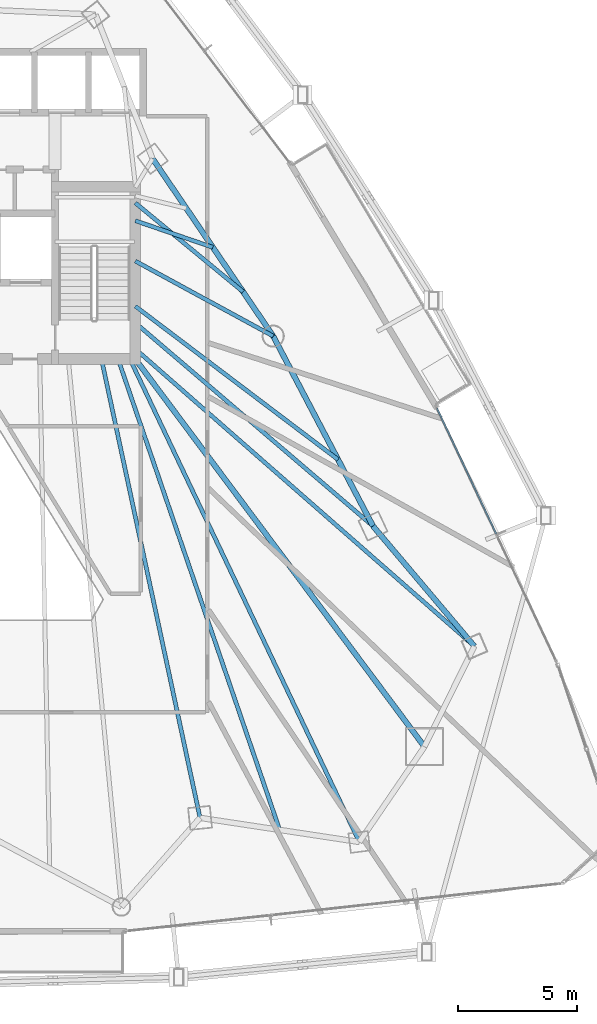
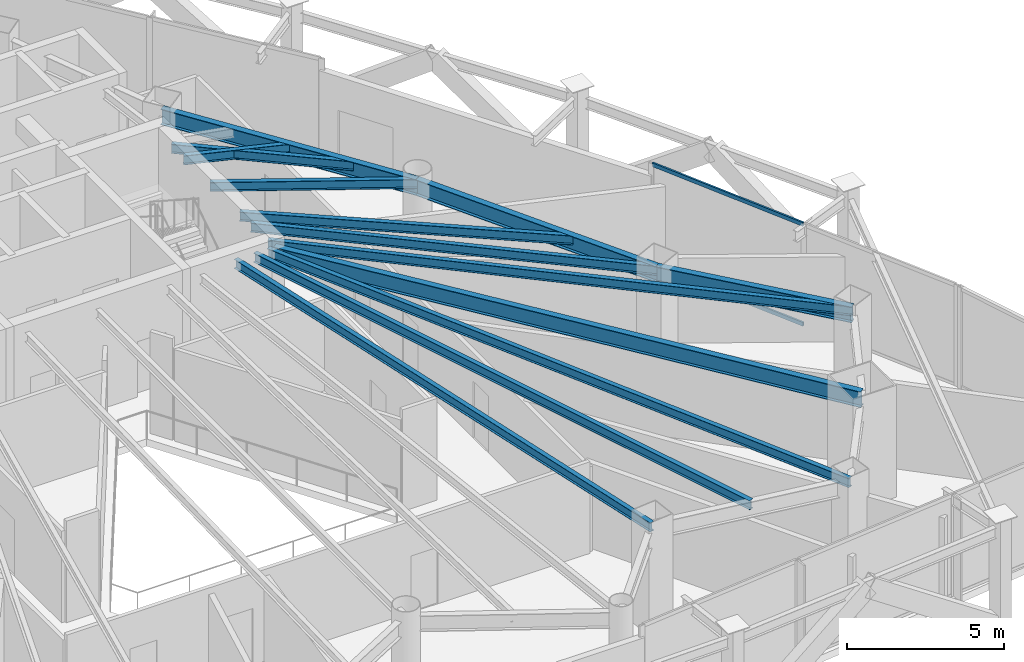
# One storey, part 16 of 33: 13 beams, 2 members, 1 element without a shape of its own.
"""IFC4 building model written with IfcOpenShell, lengths in metres."""

from ifc_helpers import new_model, si_unit, direction, frame, origin, origin_2d, place, context, subcontext, project, spatial, hollow_rectangle, i_section, extrude, material, layer, layer_set, material_profile, profile_set, type_object, element, aggregate, save


model = new_model("IFC4")

# Units and contexts
model_context = context("Model", 3, precision=1e-05, world=origin(), true_north=direction((0.0, 1.0)))
body_context = subcontext(model_context, "Body", "Model", "MODEL_VIEW")
ifc_project = project(units=[si_unit("LENGTHUNIT", "METRE"), si_unit("AREAUNIT", "SQUARE_METRE"), si_unit("VOLUMEUNIT", "CUBIC_METRE"), si_unit("PLANEANGLEUNIT", "RADIAN"), si_unit("MASSUNIT", "GRAM", prefix="KILO")], contexts=[model_context])

# Site, building, storey
site_placement = place(None, origin())
site = spatial("IfcSite", under=ifc_project, at=site_placement, CompositionType="ELEMENT")
building_placement = place(site_placement, origin())
building = spatial("IfcBuilding", under=site, at=building_placement, Name="Orvanel Arch Residences", CompositionType="ELEMENT")
storey_placement = place(building_placement, frame((0.0, 0.0, 97.25)))
storey = spatial("IfcBuildingStorey", under=building, at=storey_placement, Name="L27", CompositionType="ELEMENT", Elevation=97.25)

# Beams
ifc_material_1 = material(Name="Structural steel AS/NZS 3679.1 Grade 300 (300 MPa)", Category="steel")
ifc_material_profile_1 = material_profile(ifc_material_1, i_section(OverallWidth=0.22900390625, OverallDepth=0.612060546875, WebThickness=0.011962890625, FlangeThickness=0.01953125, at=origin_2d()), Name="610UB125")
ifc_profile_set_1 = profile_set([ifc_material_profile_1], Name="Structural steel AS/NZS 3679.1 Grade 300 (300 MPa)")
beam_type_1 = type_object("IfcBeamType", Name="BG-610UB", PredefinedType="BEAM", material=ifc_profile_set_1)
beam_1_placement = place(storey_placement, frame((39.625, 26.675048828125, 3.64404296875), z_axis=(0.597893733742, -0.801575375839, 0.0), x_axis=(0.801575375839, 0.597893733742, 0.0)))
element("IfcBeam", 1, at=beam_1_placement, inside=storey, type_object=beam_type_1, Name="L27 South-East Radial Girder", PredefinedType="BEAM", context=body_context, shape_type="SweptSolid", body=[
    extrude(i_section(OverallWidth=0.22900390625, OverallDepth=0.612060546875, WebThickness=0.011962890625, FlangeThickness=0.01953125, at=origin_2d()), origin(), (0.0, 0.0, 1.0), 20.36474609375),
])
ifc_material_profile_2 = material_profile(ifc_material_1, i_section(OverallWidth=0.1708984375, OverallDepth=0.35595703125, WebThickness=0.00732421875, FlangeThickness=0.011474609375, at=origin_2d()), Name="360UB50.7")
ifc_profile_set_2 = profile_set([ifc_material_profile_2], Name="Structural steel AS/NZS 3679.1 Grade 300 (300 MPa)")
beam_type_2 = type_object("IfcBeamType", Name="BJ-360UB", PredefinedType="JOIST", material=ifc_profile_set_2)
beam_2_placement = place(storey_placement, frame((39.625, 30.800048828125, 3.77197265625), z_axis=(0.878399029914, -0.477927969726, 0.0), x_axis=(0.477927969726, 0.878399029914, 0.0)))
element("IfcBeam", 2, at=beam_2_placement, inside=storey, type_object=beam_type_2, Name="L27 NE Wing Floor Joist", PredefinedType="JOIST", context=body_context, shape_type="SweptSolid", body=[
    extrude(i_section(OverallWidth=0.1708984375, OverallDepth=0.35595703125, WebThickness=0.00732421875, FlangeThickness=0.011474609375, at=origin_2d()), origin(), (0.0, 0.0, 1.0), 6.609619140625),
])
beam_3_placement = place(storey_placement, frame((39.625, 28.199951171875, 3.77197265625), z_axis=(0.760024297953, -0.649894658018, 0.0), x_axis=(0.649894658018, 0.760024297953, 0.0)))
element("IfcBeam", 3, at=beam_3_placement, inside=storey, type_object=beam_type_2, Name="L27 E Wing Floor Joist", PredefinedType="JOIST", context=body_context, shape_type="SweptSolid", body=[
    extrude(i_section(OverallWidth=0.1708984375, OverallDepth=0.35595703125, WebThickness=0.00732421875, FlangeThickness=0.011474609375, at=origin_2d()), origin(), (0.0, 0.0, 1.0), 13.16796875),
])
beam_4_placement = place(storey_placement, frame((38.199951171875, 26.675048828125, 3.77197265625), z_axis=(0.210066515515, -0.977687096703, 0.0), x_axis=(0.977687096703, 0.210066515515, 0.0)))
element("IfcBeam", 4, at=beam_4_placement, inside=storey, type_object=beam_type_2, Name="L27 SE Wing Floor Joist", PredefinedType="JOIST", context=body_context, shape_type="SweptSolid", body=[
    extrude(i_section(OverallWidth=0.1708984375, OverallDepth=0.35595703125, WebThickness=0.00732421875, FlangeThickness=0.011474609375, at=origin_2d()), origin(), (0.0, 0.0, 1.0), 19.760986328125),
])
beam_5_placement = place(storey_placement, frame((39.625, 32.5, 3.77197265625), z_axis=(0.945658073701, -0.325162740247, 0.0), x_axis=(0.325162740247, 0.945658073701, 0.0)))
element("IfcBeam", 5, at=beam_5_placement, inside=storey, type_object=beam_type_2, Name="L27 ENE Wing Floor Joist", PredefinedType="JOIST", context=body_context, shape_type="SweptSolid", body=[
    extrude(i_section(OverallWidth=0.1708984375, OverallDepth=0.35595703125, WebThickness=0.00732421875, FlangeThickness=0.011474609375, at=origin_2d()), origin(), (0.0, 0.0, 1.0), 3.453857421875),
])
beam_6_placement = place(storey_placement, frame((39.625, 27.10009765625, 3.77197265625), z_axis=(0.751924114057, -0.659249669472, 0.0), x_axis=(0.659249669472, 0.751924114057, 0.0)))
element("IfcBeam", 6, at=beam_6_placement, inside=storey, type_object=beam_type_2, Name="L27 ME Wing Floor Joist", PredefinedType="JOIST", context=body_context, shape_type="SweptSolid", body=[
    extrude(i_section(OverallWidth=0.1708984375, OverallDepth=0.35595703125, WebThickness=0.00732421875, FlangeThickness=0.011474609375, at=origin_2d()), origin(), (0.0, 0.0, 1.0), 18.9912109375),
])
beam_7_placement = place(storey_placement, frame((39.39990234375, 26.675048828125, 3.77197265625), z_axis=(0.429042657795, -0.903284228686, 0.0), x_axis=(0.903284228686, 0.429042657795, 0.0)))
element("IfcBeam", 7, at=beam_7_placement, inside=storey, type_object=beam_type_2, Name="L27 MSE Wing Floor Joist", PredefinedType="JOIST", context=body_context, shape_type="SweptSolid", body=[
    extrude(i_section(OverallWidth=0.1708984375, OverallDepth=0.35595703125, WebThickness=0.00732421875, FlangeThickness=0.011474609375, at=origin_2d()), origin(), (0.0, 0.0, 1.0), 22.513427734375),
])
beam_8_placement = place(storey_placement, frame((39.625, 33.25, 3.77197265625), z_axis=(0.771468562814, -0.636267441089, 0.0), x_axis=(0.636267441089, 0.771468562814, 0.0)))
element("IfcBeam", 8, at=beam_8_placement, inside=storey, type_object=beam_type_2, Name="L27 LE Wing Floor Joist", PredefinedType="JOIST", context=body_context, shape_type="SweptSolid", body=[
    extrude(i_section(OverallWidth=0.1708984375, OverallDepth=0.35595703125, WebThickness=0.00732421875, FlangeThickness=0.011474609375, at=origin_2d()), origin(), (0.0, 0.0, 1.0), 5.879638671875),
])
beam_9_placement = place(storey_placement, frame((39.625, 28.89990234375, 3.77197265625), z_axis=(0.797519083104, -0.60329371958, 0.0), x_axis=(0.60329371958, 0.797519083104, 0.0)))
element("IfcBeam", 9, at=beam_9_placement, inside=storey, type_object=beam_type_2, Name="L27 CTE Wing Floor Joist", PredefinedType="JOIST", context=body_context, shape_type="SweptSolid", body=[
    extrude(i_section(OverallWidth=0.1708984375, OverallDepth=0.35595703125, WebThickness=0.00732421875, FlangeThickness=0.011474609375, at=origin_2d()), origin(), (0.0, 0.0, 1.0), 10.70458984375),
])
beam_10_placement = place(storey_placement, frame((38.89990234375, 26.675048828125, 3.77197265625), z_axis=(0.324621456495, -0.945844019901, 0.0), x_axis=(0.945844019901, 0.324621456495, 0.0)))
element("IfcBeam", 10, at=beam_10_placement, inside=storey, type_object=beam_type_2, Name="L27 JADD2 Wing Floor Joist", PredefinedType="JOIST", context=body_context, shape_type="SweptSolid", body=[
    extrude(i_section(OverallWidth=0.1708984375, OverallDepth=0.35595703125, WebThickness=0.00732421875, FlangeThickness=0.011474609375, at=origin_2d()), origin(), (0.0, 0.0, 1.0), 20.96337890625),
])
ifc_material_profile_3 = material_profile(ifc_material_1, i_section(OverallWidth=0.22900390625, OverallDepth=0.612060546875, WebThickness=0.011962890625, FlangeThickness=0.01953125, at=origin_2d()), Name="610UB125")
ifc_profile_set_3 = profile_set([ifc_material_profile_3], Name="Structural steel AS/NZS 3679.1 Grade 300 (300 MPa)")
beam_type_3 = type_object("IfcBeamType", Name="SP-610UB", PredefinedType="SPANDREL", material=ifc_profile_set_3)
beam_11_placement = place(storey_placement, frame((53.905029296875, 14.580078125, 3.64404296875), z_axis=(-0.644950329775, 0.764224490659, 0.0), x_axis=(-0.764224490659, -0.644950329775, 0.0)))
element("IfcBeam", 11, at=beam_11_placement, inside=storey, type_object=beam_type_3, Name="L27 Perimeter Spandrel Beam 12", PredefinedType="SPANDREL", context=body_context, shape_type="SweptSolid", body=[
    extrude(i_section(OverallWidth=0.22900390625, OverallDepth=0.612060546875, WebThickness=0.011962890625, FlangeThickness=0.01953125, at=origin_2d()), origin(), (0.0, 0.0, 1.0), 6.623779296875),
])
beam_12_placement = place(storey_placement, frame((49.633056640625, 19.64208984375, 3.64404296875), z_axis=(-0.465064762793, 0.885276660942, 0.0), x_axis=(-0.885276660942, -0.465064762793, 0.0)))
element("IfcBeam", 12, at=beam_12_placement, inside=storey, type_object=beam_type_3, Name="L27 Perimeter Spandrel Beam 13", PredefinedType="SPANDREL", context=body_context, shape_type="SweptSolid", body=[
    extrude(i_section(OverallWidth=0.22900390625, OverallDepth=0.612060546875, WebThickness=0.011962890625, FlangeThickness=0.01953125, at=origin_2d()), origin(), (0.0, 0.0, 1.0), 9.03564453125),
])
beam_13_placement = place(storey_placement, frame((45.430908203125, 27.64111328125, 3.64404296875), z_axis=(-0.562154793153, 0.827032035978, 0.0), x_axis=(-0.827032035978, -0.562154793153, 0.0)))
element("IfcBeam", 13, at=beam_13_placement, inside=storey, type_object=beam_type_3, Name="L27 Perimeter Spandrel Beam 14", PredefinedType="SPANDREL", context=body_context, shape_type="SweptSolid", body=[
    extrude(i_section(OverallWidth=0.22900390625, OverallDepth=0.612060546875, WebThickness=0.011962890625, FlangeThickness=0.01953125, at=origin_2d()), origin(), (0.0, 0.0, 1.0), 9.03466796875),
])

# Curtain wall, members
ifc_material_2 = material(Name="Bronze-anodised aluminium AA6063-T6", Category="aluminium")
ifc_layer = layer(ifc_material_2, 0.195068359375)
ifc_layer_set = layer_set([ifc_layer], Name="Bronze-anodised aluminium AA6063-T6")
curtain_wall_type = type_object("IfcCurtainWallType", Name="CW6-COM-SYS", PredefinedType="NOTDEFINED", material=ifc_layer_set)
curtain_wall_placement = place(storey_placement, origin())
curtain_wall = element("IfcCurtainWall", 14, at=curtain_wall_placement, inside=storey, type_object=curtain_wall_type, Name="L27 CW6-COM-SYS Unitised Curtain Wall", PredefinedType="NOTDEFINED")
ifc_material_profile_4 = material_profile(ifc_material_2, hollow_rectangle(XDim=0.06494140625, YDim=0.14990234375, WallThickness=0.00390625, at=origin_2d()), Name="ALU150x65x4")
ifc_profile_set_4 = profile_set([ifc_material_profile_4], Name="Bronze-anodised aluminium AA6063-T6")
member_type = type_object("IfcMemberType", Name="TRN-150x65", PredefinedType="USERDEFINED", material=ifc_profile_set_4)
member_1_placement = place(storey_placement, frame((54.821533203125, 19.3173828125, 0.032470703125), z_axis=(-0.427007253832, 0.904248198878, 0.0), x_axis=(-0.904248198878, -0.427007253832, 0.0)))
member_1 = element("IfcMember", 15, at=member_1_placement, type_object=member_type, Name="CW-S6 transom 2.1", ObjectType="TRANSOM", PredefinedType="USERDEFINED", context=body_context, shape_type="SweptSolid", body=[
    extrude(hollow_rectangle(XDim=0.06494140625, YDim=0.14990234375, WallThickness=0.00390625, at=origin_2d()), origin(), (0.0, 0.0, 1.0), 5.8466796875),
])
member_2_placement = place(storey_placement, frame((54.821533203125, 19.3173828125, 3.91748046875), z_axis=(-0.427007253832, 0.904248198878, 0.0), x_axis=(-0.904248198878, -0.427007253832, 0.0)))
member_2 = element("IfcMember", 16, at=member_2_placement, type_object=member_type, Name="CW-S6 transom 2.2", ObjectType="TRANSOM", PredefinedType="USERDEFINED", context=body_context, shape_type="SweptSolid", body=[
    extrude(hollow_rectangle(XDim=0.06494140625, YDim=0.14990234375, WallThickness=0.00390625, at=origin_2d()), origin(), (0.0, 0.0, 1.0), 5.8466796875),
])
aggregate(curtain_wall, [member_1, member_2])

save(model, "model.ifc")
